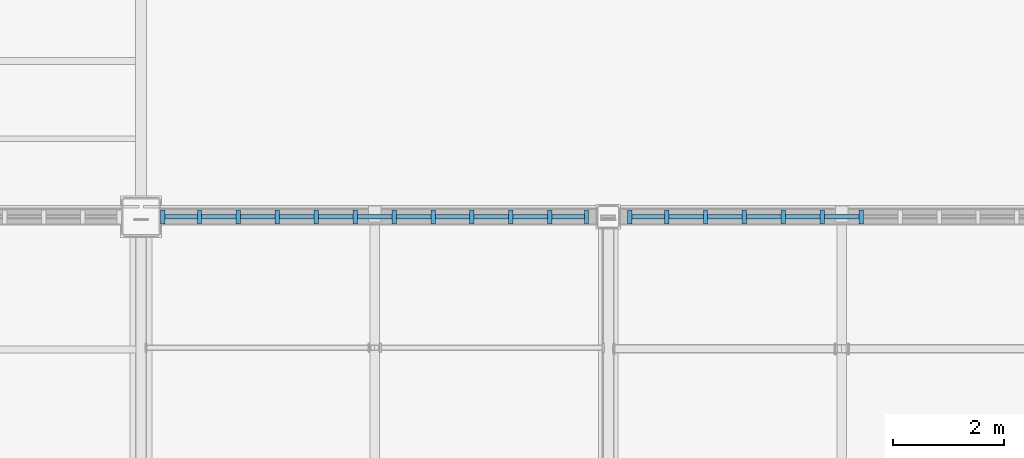
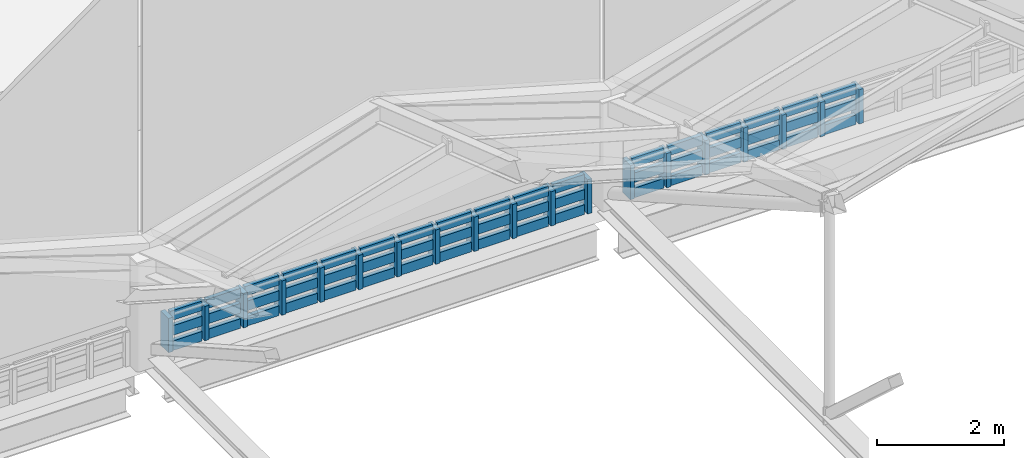
# One storey, part 49 of 77: 70 members, 2 elements without a shape of their own.
"""IFC4 building model written with IfcOpenShell, lengths in metres."""

from ifc_helpers import new_model, si_unit, direction, frame, origin, origin_2d, place, context, subcontext, project, spatial, rectangle, extrude, material, material_profile, profile_set, type_object, element, aggregate, save


model = new_model("IFC4")

# Units and contexts
model_context = context("Model", 3, precision=1e-05, world=origin(), true_north=direction((0.0, 1.0)))
body_context = subcontext(model_context, "Body", "Model", "MODEL_VIEW")
ifc_project = project(units=[si_unit("LENGTHUNIT", "METRE"), si_unit("AREAUNIT", "SQUARE_METRE"), si_unit("VOLUMEUNIT", "CUBIC_METRE"), si_unit("PLANEANGLEUNIT", "RADIAN"), si_unit("MASSUNIT", "GRAM", prefix="KILO")], contexts=[model_context])

# Site, building, storey
site_placement = place(None, origin())
site = spatial("IfcSite", under=ifc_project, at=site_placement, CompositionType="ELEMENT")
building_placement = place(site_placement, origin())
building = spatial("IfcBuilding", under=site, at=building_placement, Name="Larkvane Passage Sports Hall", CompositionType="ELEMENT")
storey_placement = place(building_placement, frame((0.0, 0.0, 22.199951171875)))
storey = spatial("IfcBuildingStorey", under=building, at=storey_placement, Name="RF", CompositionType="ELEMENT", Elevation=22.199951171875)

# Curtain wall, members
ifc_material_1 = material(Name="Thermally broken aluminium and low-E glazing", Category="aluminium")
curtain_wall_type = type_object("IfcCurtainWallType", Name="CW-CLER-N", PredefinedType="USERDEFINED", material=ifc_material_1)
curtain_wall_1_placement = place(storey_placement, origin())
curtain_wall_1 = element("IfcCurtainWall", 1, at=curtain_wall_1_placement, inside=storey, type_object=curtain_wall_type, Name="Curtain wall CW5-RF-CLER-6", ObjectType="STICK CURTAIN WALL", PredefinedType="USERDEFINED")
ifc_material_2 = material(Name="Anodised aluminium 6063-T6", Category="aluminium")
ifc_material_profile_1 = material_profile(ifc_material_2, rectangle(XDim=0.080078125, YDim=0.25, at=origin_2d()), Name="ALU-MUL-80x250")
ifc_profile_set_1 = profile_set([ifc_material_profile_1], Name="Anodised aluminium 6063-T6")
member_type_1 = type_object("IfcMemberType", Name="CW-MUL-80x250", PredefinedType="MULLION", material=ifc_profile_set_1)
member_1_placement = place(storey_placement, frame((84.81005859375, 75.60009765625, 0.0), z_axis=(0.0, 0.0, 1.0), x_axis=(-1.0, 0.0, 0.0)))
member_1 = element("IfcMember", 2, at=member_1_placement, type_object=member_type_1, Name="CW-04 mullion 1", PredefinedType="MULLION", context=body_context, shape_type="SweptSolid", body=[
    extrude(rectangle(XDim=0.080078125, YDim=0.25, at=origin_2d()), origin(), (0.0, 0.0, 1.0), 0.66015625),
])
member_2_placement = place(storey_placement, frame((84.14990234375, 75.60009765625, 0.0), z_axis=(0.0, 0.0, 1.0), x_axis=(-1.0, 0.0, 0.0)))
member_2 = element("IfcMember", 3, at=member_2_placement, type_object=member_type_1, Name="CW-04 mullion 2", PredefinedType="MULLION", context=body_context, shape_type="SweptSolid", body=[
    extrude(rectangle(XDim=0.080078125, YDim=0.25, at=origin_2d()), origin(), (0.0, 0.0, 1.0), 0.66015625),
])
member_3_placement = place(storey_placement, frame((83.449951171875, 75.60009765625, 0.0), z_axis=(0.0, 0.0, 1.0), x_axis=(-1.0, 0.0, 0.0)))
member_3 = element("IfcMember", 4, at=member_3_placement, type_object=member_type_1, Name="CW-04 mullion 3", PredefinedType="MULLION", context=body_context, shape_type="SweptSolid", body=[
    extrude(rectangle(XDim=0.080078125, YDim=0.25, at=origin_2d()), origin(), (0.0, 0.0, 1.0), 0.66015625),
])
member_4_placement = place(storey_placement, frame((82.75, 75.60009765625, 0.0), z_axis=(0.0, 0.0, 1.0), x_axis=(-1.0, 0.0, 0.0)))
member_4 = element("IfcMember", 5, at=member_4_placement, type_object=member_type_1, Name="CW-04 mullion 4", PredefinedType="MULLION", context=body_context, shape_type="SweptSolid", body=[
    extrude(rectangle(XDim=0.080078125, YDim=0.25, at=origin_2d()), origin(), (0.0, 0.0, 1.0), 0.66015625),
])
member_5_placement = place(storey_placement, frame((82.050048828125, 75.60009765625, 0.0), z_axis=(0.0, 0.0, 1.0), x_axis=(-1.0, 0.0, 0.0)))
member_5 = element("IfcMember", 6, at=member_5_placement, type_object=member_type_1, Name="CW-04 mullion 5", PredefinedType="MULLION", context=body_context, shape_type="SweptSolid", body=[
    extrude(rectangle(XDim=0.080078125, YDim=0.25, at=origin_2d()), origin(), (0.0, 0.0, 1.0), 0.66015625),
])
member_6_placement = place(storey_placement, frame((81.35009765625, 75.60009765625, 0.0), z_axis=(0.0, 0.0, 1.0), x_axis=(-1.0, 0.0, 0.0)))
member_6 = element("IfcMember", 7, at=member_6_placement, type_object=member_type_1, Name="CW-04 mullion 6", PredefinedType="MULLION", context=body_context, shape_type="SweptSolid", body=[
    extrude(rectangle(XDim=0.080078125, YDim=0.25, at=origin_2d()), origin(), (0.0, 0.0, 1.0), 0.66015625),
])
member_7_placement = place(storey_placement, frame((80.64990234375, 75.60009765625, 0.0), z_axis=(0.0, 0.0, 1.0), x_axis=(-1.0, 0.0, 0.0)))
member_7 = element("IfcMember", 8, at=member_7_placement, type_object=member_type_1, Name="CW-04 mullion 7", PredefinedType="MULLION", context=body_context, shape_type="SweptSolid", body=[
    extrude(rectangle(XDim=0.080078125, YDim=0.25, at=origin_2d()), origin(), (0.0, 0.0, 1.0), 0.66015625),
])
member_8_placement = place(storey_placement, frame((79.949951171875, 75.60009765625, 0.0), z_axis=(0.0, 0.0, 1.0), x_axis=(-1.0, 0.0, 0.0)))
member_8 = element("IfcMember", 9, at=member_8_placement, type_object=member_type_1, Name="CW-04 mullion 8", PredefinedType="MULLION", context=body_context, shape_type="SweptSolid", body=[
    extrude(rectangle(XDim=0.080078125, YDim=0.25, at=origin_2d()), origin(), (0.0, 0.0, 1.0), 0.66015625),
])
member_9_placement = place(storey_placement, frame((79.25, 75.60009765625, 0.0), z_axis=(0.0, 0.0, 1.0), x_axis=(-1.0, 0.0, 0.0)))
member_9 = element("IfcMember", 10, at=member_9_placement, type_object=member_type_1, Name="CW-04 mullion 9", PredefinedType="MULLION", context=body_context, shape_type="SweptSolid", body=[
    extrude(rectangle(XDim=0.080078125, YDim=0.25, at=origin_2d()), origin(), (0.0, 0.0, 1.0), 0.66015625),
])
member_10_placement = place(storey_placement, frame((78.550048828125, 75.60009765625, 0.0), z_axis=(0.0, 0.0, 1.0), x_axis=(-1.0, 0.0, 0.0)))
member_10 = element("IfcMember", 11, at=member_10_placement, type_object=member_type_1, Name="CW-04 mullion 10", PredefinedType="MULLION", context=body_context, shape_type="SweptSolid", body=[
    extrude(rectangle(XDim=0.080078125, YDim=0.25, at=origin_2d()), origin(), (0.0, 0.0, 1.0), 0.66015625),
])
member_11_placement = place(storey_placement, frame((77.85009765625, 75.60009765625, 0.0), z_axis=(0.0, 0.0, 1.0), x_axis=(-1.0, 0.0, 0.0)))
member_11 = element("IfcMember", 12, at=member_11_placement, type_object=member_type_1, Name="CW-04 mullion 11", PredefinedType="MULLION", context=body_context, shape_type="SweptSolid", body=[
    extrude(rectangle(XDim=0.080078125, YDim=0.25, at=origin_2d()), origin(), (0.0, 0.0, 1.0), 0.66015625),
])
member_12_placement = place(storey_placement, frame((77.18994140625, 75.60009765625, 0.0), z_axis=(0.0, 0.0, 1.0), x_axis=(-1.0, 0.0, 0.0)))
member_12 = element("IfcMember", 13, at=member_12_placement, type_object=member_type_1, Name="CW-04 mullion 12", PredefinedType="MULLION", context=body_context, shape_type="SweptSolid", body=[
    extrude(rectangle(XDim=0.080078125, YDim=0.25, at=origin_2d()), origin(), (0.0, 0.0, 1.0), 0.66015625),
])

curtain_wall_2_placement = place(storey_placement, origin())
curtain_wall_2 = element("IfcCurtainWall", 14, at=curtain_wall_2_placement, inside=storey, type_object=curtain_wall_type, Name="Curtain wall CW5-RF-CLER-7", ObjectType="STICK CURTAIN WALL", PredefinedType="USERDEFINED")
member_13_placement = place(storey_placement, frame((89.75, 75.60009765625, 0.0), z_axis=(0.0, 0.0, 1.0), x_axis=(-1.0, 0.0, 0.0)))
member_13 = element("IfcMember", 15, at=member_13_placement, type_object=member_type_1, Name="CW-04 mullion 6", PredefinedType="MULLION", context=body_context, shape_type="SweptSolid", body=[
    extrude(rectangle(XDim=0.080078125, YDim=0.25, at=origin_2d()), origin(), (0.0, 0.0, 1.0), 0.66015625),
])
member_14_placement = place(storey_placement, frame((89.050048828125, 75.60009765625, 0.0), z_axis=(0.0, 0.0, 1.0), x_axis=(-1.0, 0.0, 0.0)))
member_14 = element("IfcMember", 16, at=member_14_placement, type_object=member_type_1, Name="CW-04 mullion 7", PredefinedType="MULLION", context=body_context, shape_type="SweptSolid", body=[
    extrude(rectangle(XDim=0.080078125, YDim=0.25, at=origin_2d()), origin(), (0.0, 0.0, 1.0), 0.66015625),
])
member_15_placement = place(storey_placement, frame((88.35009765625, 75.60009765625, 0.0), z_axis=(0.0, 0.0, 1.0), x_axis=(-1.0, 0.0, 0.0)))
member_15 = element("IfcMember", 17, at=member_15_placement, type_object=member_type_1, Name="CW-04 mullion 8", PredefinedType="MULLION", context=body_context, shape_type="SweptSolid", body=[
    extrude(rectangle(XDim=0.080078125, YDim=0.25, at=origin_2d()), origin(), (0.0, 0.0, 1.0), 0.66015625),
])
member_16_placement = place(storey_placement, frame((87.64990234375, 75.60009765625, 0.0), z_axis=(0.0, 0.0, 1.0), x_axis=(-1.0, 0.0, 0.0)))
member_16 = element("IfcMember", 18, at=member_16_placement, type_object=member_type_1, Name="CW-04 mullion 9", PredefinedType="MULLION", context=body_context, shape_type="SweptSolid", body=[
    extrude(rectangle(XDim=0.080078125, YDim=0.25, at=origin_2d()), origin(), (0.0, 0.0, 1.0), 0.66015625),
])
member_17_placement = place(storey_placement, frame((86.949951171875, 75.60009765625, 0.0), z_axis=(0.0, 0.0, 1.0), x_axis=(-1.0, 0.0, 0.0)))
member_17 = element("IfcMember", 19, at=member_17_placement, type_object=member_type_1, Name="CW-04 mullion 10", PredefinedType="MULLION", context=body_context, shape_type="SweptSolid", body=[
    extrude(rectangle(XDim=0.080078125, YDim=0.25, at=origin_2d()), origin(), (0.0, 0.0, 1.0), 0.66015625),
])
member_18_placement = place(storey_placement, frame((86.25, 75.60009765625, 0.0), z_axis=(0.0, 0.0, 1.0), x_axis=(-1.0, 0.0, 0.0)))
member_18 = element("IfcMember", 20, at=member_18_placement, type_object=member_type_1, Name="CW-04 mullion 11", PredefinedType="MULLION", context=body_context, shape_type="SweptSolid", body=[
    extrude(rectangle(XDim=0.080078125, YDim=0.25, at=origin_2d()), origin(), (0.0, 0.0, 1.0), 0.66015625),
])
member_19_placement = place(storey_placement, frame((85.590087890625, 75.60009765625, 0.0), z_axis=(0.0, 0.0, 1.0), x_axis=(-1.0, 0.0, 0.0)))
member_19 = element("IfcMember", 21, at=member_19_placement, type_object=member_type_1, Name="CW-04 mullion 12", PredefinedType="MULLION", context=body_context, shape_type="SweptSolid", body=[
    extrude(rectangle(XDim=0.080078125, YDim=0.25, at=origin_2d()), origin(), (0.0, 0.0, 1.0), 0.66015625),
])

# Member
ifc_material_profile_2 = material_profile(ifc_material_2, rectangle(XDim=0.074951171875, YDim=0.18505859375, at=origin_2d()), Name="ALU-TRN-75x185")
ifc_profile_set_2 = profile_set([ifc_material_profile_2], Name="Anodised aluminium 6063-T6")
member_type_2 = type_object("IfcMemberType", Name="CW-TRN-75x185", PredefinedType="USERDEFINED", material=ifc_profile_set_2)
member_20_placement = place(storey_placement, frame((84.77001953125, 75.60009765625, 0.03759765625), z_axis=(-1.0, 0.0, 0.0), x_axis=(0.0, -1.0, 0.0)))
member_20 = element("IfcMember", 22, at=member_20_placement, type_object=member_type_2, Name="CW-04 transom 1.1", ObjectType="TRANSOM", PredefinedType="USERDEFINED", context=body_context, shape_type="SweptSolid", body=[
    extrude(rectangle(XDim=0.074951171875, YDim=0.18505859375, at=origin_2d()), origin(), (0.0, 0.0, 1.0), 0.580078125),
])

member_21_placement = place(storey_placement, frame((84.77001953125, 75.60009765625, 0.330078125), z_axis=(-1.0, 0.0, 0.0), x_axis=(0.0, -1.0, 0.0)))
member_21 = element("IfcMember", 23, at=member_21_placement, type_object=member_type_2, Name="CW-04 transom 1.2", ObjectType="TRANSOM", PredefinedType="USERDEFINED", context=body_context, shape_type="SweptSolid", body=[
    extrude(rectangle(XDim=0.074951171875, YDim=0.18505859375, at=origin_2d()), origin(), (0.0, 0.0, 1.0), 0.580078125),
])

member_22_placement = place(storey_placement, frame((84.77001953125, 75.60009765625, 0.62255859375), z_axis=(-1.0, 0.0, 0.0), x_axis=(0.0, -1.0, 0.0)))
member_22 = element("IfcMember", 24, at=member_22_placement, type_object=member_type_2, Name="CW-04 transom 1.3", ObjectType="TRANSOM", PredefinedType="USERDEFINED", context=body_context, shape_type="SweptSolid", body=[
    extrude(rectangle(XDim=0.074951171875, YDim=0.18505859375, at=origin_2d()), origin(), (0.0, 0.0, 1.0), 0.580078125),
])

member_23_placement = place(storey_placement, frame((84.110107421875, 75.60009765625, 0.03759765625), z_axis=(-1.0, 0.0, 0.0), x_axis=(0.0, -1.0, 0.0)))
member_23 = element("IfcMember", 25, at=member_23_placement, type_object=member_type_2, Name="CW-04 transom 2.1", ObjectType="TRANSOM", PredefinedType="USERDEFINED", context=body_context, shape_type="SweptSolid", body=[
    extrude(rectangle(XDim=0.074951171875, YDim=0.18505859375, at=origin_2d()), origin(), (0.0, 0.0, 1.0), 0.6201171875),
])

member_24_placement = place(storey_placement, frame((84.110107421875, 75.60009765625, 0.330078125), z_axis=(-1.0, 0.0, 0.0), x_axis=(0.0, -1.0, 0.0)))
member_24 = element("IfcMember", 26, at=member_24_placement, type_object=member_type_2, Name="CW-04 transom 2.2", ObjectType="TRANSOM", PredefinedType="USERDEFINED", context=body_context, shape_type="SweptSolid", body=[
    extrude(rectangle(XDim=0.074951171875, YDim=0.18505859375, at=origin_2d()), origin(), (0.0, 0.0, 1.0), 0.6201171875),
])

member_25_placement = place(storey_placement, frame((84.110107421875, 75.60009765625, 0.62255859375), z_axis=(-1.0, 0.0, 0.0), x_axis=(0.0, -1.0, 0.0)))
member_25 = element("IfcMember", 27, at=member_25_placement, type_object=member_type_2, Name="CW-04 transom 2.3", ObjectType="TRANSOM", PredefinedType="USERDEFINED", context=body_context, shape_type="SweptSolid", body=[
    extrude(rectangle(XDim=0.074951171875, YDim=0.18505859375, at=origin_2d()), origin(), (0.0, 0.0, 1.0), 0.6201171875),
])

member_26_placement = place(storey_placement, frame((83.409912109375, 75.60009765625, 0.03759765625), z_axis=(-1.0, 0.0, 0.0), x_axis=(0.0, -1.0, 0.0)))
member_26 = element("IfcMember", 28, at=member_26_placement, type_object=member_type_2, Name="CW-04 transom 3.1", ObjectType="TRANSOM", PredefinedType="USERDEFINED", context=body_context, shape_type="SweptSolid", body=[
    extrude(rectangle(XDim=0.074951171875, YDim=0.18505859375, at=origin_2d()), origin(), (0.0, 0.0, 1.0), 0.619873046875),
])

member_27_placement = place(storey_placement, frame((83.409912109375, 75.60009765625, 0.330078125), z_axis=(-1.0, 0.0, 0.0), x_axis=(0.0, -1.0, 0.0)))
member_27 = element("IfcMember", 29, at=member_27_placement, type_object=member_type_2, Name="CW-04 transom 3.2", ObjectType="TRANSOM", PredefinedType="USERDEFINED", context=body_context, shape_type="SweptSolid", body=[
    extrude(rectangle(XDim=0.074951171875, YDim=0.18505859375, at=origin_2d()), origin(), (0.0, 0.0, 1.0), 0.619873046875),
])

member_28_placement = place(storey_placement, frame((83.409912109375, 75.60009765625, 0.62255859375), z_axis=(-1.0, 0.0, 0.0), x_axis=(0.0, -1.0, 0.0)))
member_28 = element("IfcMember", 30, at=member_28_placement, type_object=member_type_2, Name="CW-04 transom 3.3", ObjectType="TRANSOM", PredefinedType="USERDEFINED", context=body_context, shape_type="SweptSolid", body=[
    extrude(rectangle(XDim=0.074951171875, YDim=0.18505859375, at=origin_2d()), origin(), (0.0, 0.0, 1.0), 0.619873046875),
])

member_29_placement = place(storey_placement, frame((82.7099609375, 75.60009765625, 0.03759765625), z_axis=(-1.0, 0.0, 0.0), x_axis=(0.0, -1.0, 0.0)))
member_29 = element("IfcMember", 31, at=member_29_placement, type_object=member_type_2, Name="CW-04 transom 4.1", ObjectType="TRANSOM", PredefinedType="USERDEFINED", context=body_context, shape_type="SweptSolid", body=[
    extrude(rectangle(XDim=0.074951171875, YDim=0.18505859375, at=origin_2d()), origin(), (0.0, 0.0, 1.0), 0.619873046875),
])

member_30_placement = place(storey_placement, frame((82.7099609375, 75.60009765625, 0.330078125), z_axis=(-1.0, 0.0, 0.0), x_axis=(0.0, -1.0, 0.0)))
member_30 = element("IfcMember", 32, at=member_30_placement, type_object=member_type_2, Name="CW-04 transom 4.2", ObjectType="TRANSOM", PredefinedType="USERDEFINED", context=body_context, shape_type="SweptSolid", body=[
    extrude(rectangle(XDim=0.074951171875, YDim=0.18505859375, at=origin_2d()), origin(), (0.0, 0.0, 1.0), 0.619873046875),
])

member_31_placement = place(storey_placement, frame((82.7099609375, 75.60009765625, 0.62255859375), z_axis=(-1.0, 0.0, 0.0), x_axis=(0.0, -1.0, 0.0)))
member_31 = element("IfcMember", 33, at=member_31_placement, type_object=member_type_2, Name="CW-04 transom 4.3", ObjectType="TRANSOM", PredefinedType="USERDEFINED", context=body_context, shape_type="SweptSolid", body=[
    extrude(rectangle(XDim=0.074951171875, YDim=0.18505859375, at=origin_2d()), origin(), (0.0, 0.0, 1.0), 0.619873046875),
])

member_32_placement = place(storey_placement, frame((82.010009765625, 75.60009765625, 0.03759765625), z_axis=(-1.0, 0.0, 0.0), x_axis=(0.0, -1.0, 0.0)))
member_32 = element("IfcMember", 34, at=member_32_placement, type_object=member_type_2, Name="CW-04 transom 5.1", ObjectType="TRANSOM", PredefinedType="USERDEFINED", context=body_context, shape_type="SweptSolid", body=[
    extrude(rectangle(XDim=0.074951171875, YDim=0.18505859375, at=origin_2d()), origin(), (0.0, 0.0, 1.0), 0.6201171875),
])

member_33_placement = place(storey_placement, frame((82.010009765625, 75.60009765625, 0.330078125), z_axis=(-1.0, 0.0, 0.0), x_axis=(0.0, -1.0, 0.0)))
member_33 = element("IfcMember", 35, at=member_33_placement, type_object=member_type_2, Name="CW-04 transom 5.2", ObjectType="TRANSOM", PredefinedType="USERDEFINED", context=body_context, shape_type="SweptSolid", body=[
    extrude(rectangle(XDim=0.074951171875, YDim=0.18505859375, at=origin_2d()), origin(), (0.0, 0.0, 1.0), 0.6201171875),
])

member_34_placement = place(storey_placement, frame((82.010009765625, 75.60009765625, 0.62255859375), z_axis=(-1.0, 0.0, 0.0), x_axis=(0.0, -1.0, 0.0)))
member_34 = element("IfcMember", 36, at=member_34_placement, type_object=member_type_2, Name="CW-04 transom 5.3", ObjectType="TRANSOM", PredefinedType="USERDEFINED", context=body_context, shape_type="SweptSolid", body=[
    extrude(rectangle(XDim=0.074951171875, YDim=0.18505859375, at=origin_2d()), origin(), (0.0, 0.0, 1.0), 0.6201171875),
])

member_35_placement = place(storey_placement, frame((81.31005859375, 75.60009765625, 0.03759765625), z_axis=(-1.0, 0.0, 0.0), x_axis=(0.0, -1.0, 0.0)))
member_35 = element("IfcMember", 37, at=member_35_placement, type_object=member_type_2, Name="CW-04 transom 6.1", ObjectType="TRANSOM", PredefinedType="USERDEFINED", context=body_context, shape_type="SweptSolid", body=[
    extrude(rectangle(XDim=0.074951171875, YDim=0.18505859375, at=origin_2d()), origin(), (0.0, 0.0, 1.0), 0.6201171875),
])

member_36_placement = place(storey_placement, frame((81.31005859375, 75.60009765625, 0.330078125), z_axis=(-1.0, 0.0, 0.0), x_axis=(0.0, -1.0, 0.0)))
member_36 = element("IfcMember", 38, at=member_36_placement, type_object=member_type_2, Name="CW-04 transom 6.2", ObjectType="TRANSOM", PredefinedType="USERDEFINED", context=body_context, shape_type="SweptSolid", body=[
    extrude(rectangle(XDim=0.074951171875, YDim=0.18505859375, at=origin_2d()), origin(), (0.0, 0.0, 1.0), 0.6201171875),
])

member_37_placement = place(storey_placement, frame((81.31005859375, 75.60009765625, 0.62255859375), z_axis=(-1.0, 0.0, 0.0), x_axis=(0.0, -1.0, 0.0)))
member_37 = element("IfcMember", 39, at=member_37_placement, type_object=member_type_2, Name="CW-04 transom 6.3", ObjectType="TRANSOM", PredefinedType="USERDEFINED", context=body_context, shape_type="SweptSolid", body=[
    extrude(rectangle(XDim=0.074951171875, YDim=0.18505859375, at=origin_2d()), origin(), (0.0, 0.0, 1.0), 0.6201171875),
])

member_38_placement = place(storey_placement, frame((80.610107421875, 75.60009765625, 0.03759765625), z_axis=(-1.0, 0.0, 0.0), x_axis=(0.0, -1.0, 0.0)))
member_38 = element("IfcMember", 40, at=member_38_placement, type_object=member_type_2, Name="CW-04 transom 7.1", ObjectType="TRANSOM", PredefinedType="USERDEFINED", context=body_context, shape_type="SweptSolid", body=[
    extrude(rectangle(XDim=0.074951171875, YDim=0.18505859375, at=origin_2d()), origin(), (0.0, 0.0, 1.0), 0.6201171875),
])

member_39_placement = place(storey_placement, frame((80.610107421875, 75.60009765625, 0.330078125), z_axis=(-1.0, 0.0, 0.0), x_axis=(0.0, -1.0, 0.0)))
member_39 = element("IfcMember", 41, at=member_39_placement, type_object=member_type_2, Name="CW-04 transom 7.2", ObjectType="TRANSOM", PredefinedType="USERDEFINED", context=body_context, shape_type="SweptSolid", body=[
    extrude(rectangle(XDim=0.074951171875, YDim=0.18505859375, at=origin_2d()), origin(), (0.0, 0.0, 1.0), 0.6201171875),
])

member_40_placement = place(storey_placement, frame((80.610107421875, 75.60009765625, 0.62255859375), z_axis=(-1.0, 0.0, 0.0), x_axis=(0.0, -1.0, 0.0)))
member_40 = element("IfcMember", 42, at=member_40_placement, type_object=member_type_2, Name="CW-04 transom 7.3", ObjectType="TRANSOM", PredefinedType="USERDEFINED", context=body_context, shape_type="SweptSolid", body=[
    extrude(rectangle(XDim=0.074951171875, YDim=0.18505859375, at=origin_2d()), origin(), (0.0, 0.0, 1.0), 0.6201171875),
])

member_41_placement = place(storey_placement, frame((79.909912109375, 75.60009765625, 0.03759765625), z_axis=(-1.0, 0.0, 0.0), x_axis=(0.0, -1.0, 0.0)))
member_41 = element("IfcMember", 43, at=member_41_placement, type_object=member_type_2, Name="CW-04 transom 8.1", ObjectType="TRANSOM", PredefinedType="USERDEFINED", context=body_context, shape_type="SweptSolid", body=[
    extrude(rectangle(XDim=0.074951171875, YDim=0.18505859375, at=origin_2d()), origin(), (0.0, 0.0, 1.0), 0.619873046875),
])

member_42_placement = place(storey_placement, frame((79.909912109375, 75.60009765625, 0.330078125), z_axis=(-1.0, 0.0, 0.0), x_axis=(0.0, -1.0, 0.0)))
member_42 = element("IfcMember", 44, at=member_42_placement, type_object=member_type_2, Name="CW-04 transom 8.2", ObjectType="TRANSOM", PredefinedType="USERDEFINED", context=body_context, shape_type="SweptSolid", body=[
    extrude(rectangle(XDim=0.074951171875, YDim=0.18505859375, at=origin_2d()), origin(), (0.0, 0.0, 1.0), 0.619873046875),
])

member_43_placement = place(storey_placement, frame((79.909912109375, 75.60009765625, 0.62255859375), z_axis=(-1.0, 0.0, 0.0), x_axis=(0.0, -1.0, 0.0)))
member_43 = element("IfcMember", 45, at=member_43_placement, type_object=member_type_2, Name="CW-04 transom 8.3", ObjectType="TRANSOM", PredefinedType="USERDEFINED", context=body_context, shape_type="SweptSolid", body=[
    extrude(rectangle(XDim=0.074951171875, YDim=0.18505859375, at=origin_2d()), origin(), (0.0, 0.0, 1.0), 0.619873046875),
])

member_44_placement = place(storey_placement, frame((79.2099609375, 75.60009765625, 0.03759765625), z_axis=(-1.0, 0.0, 0.0), x_axis=(0.0, -1.0, 0.0)))
member_44 = element("IfcMember", 46, at=member_44_placement, type_object=member_type_2, Name="CW-04 transom 9.1", ObjectType="TRANSOM", PredefinedType="USERDEFINED", context=body_context, shape_type="SweptSolid", body=[
    extrude(rectangle(XDim=0.074951171875, YDim=0.18505859375, at=origin_2d()), origin(), (0.0, 0.0, 1.0), 0.619873046875),
])

member_45_placement = place(storey_placement, frame((79.2099609375, 75.60009765625, 0.330078125), z_axis=(-1.0, 0.0, 0.0), x_axis=(0.0, -1.0, 0.0)))
member_45 = element("IfcMember", 47, at=member_45_placement, type_object=member_type_2, Name="CW-04 transom 9.2", ObjectType="TRANSOM", PredefinedType="USERDEFINED", context=body_context, shape_type="SweptSolid", body=[
    extrude(rectangle(XDim=0.074951171875, YDim=0.18505859375, at=origin_2d()), origin(), (0.0, 0.0, 1.0), 0.619873046875),
])

member_46_placement = place(storey_placement, frame((79.2099609375, 75.60009765625, 0.62255859375), z_axis=(-1.0, 0.0, 0.0), x_axis=(0.0, -1.0, 0.0)))
member_46 = element("IfcMember", 48, at=member_46_placement, type_object=member_type_2, Name="CW-04 transom 9.3", ObjectType="TRANSOM", PredefinedType="USERDEFINED", context=body_context, shape_type="SweptSolid", body=[
    extrude(rectangle(XDim=0.074951171875, YDim=0.18505859375, at=origin_2d()), origin(), (0.0, 0.0, 1.0), 0.619873046875),
])

member_47_placement = place(storey_placement, frame((78.510009765625, 75.60009765625, 0.03759765625), z_axis=(-1.0, 0.0, 0.0), x_axis=(0.0, -1.0, 0.0)))
member_47 = element("IfcMember", 49, at=member_47_placement, type_object=member_type_2, Name="CW-04 transom 10.1", ObjectType="TRANSOM", PredefinedType="USERDEFINED", context=body_context, shape_type="SweptSolid", body=[
    extrude(rectangle(XDim=0.074951171875, YDim=0.18505859375, at=origin_2d()), origin(), (0.0, 0.0, 1.0), 0.6201171875),
])

member_48_placement = place(storey_placement, frame((78.510009765625, 75.60009765625, 0.330078125), z_axis=(-1.0, 0.0, 0.0), x_axis=(0.0, -1.0, 0.0)))
member_48 = element("IfcMember", 50, at=member_48_placement, type_object=member_type_2, Name="CW-04 transom 10.2", ObjectType="TRANSOM", PredefinedType="USERDEFINED", context=body_context, shape_type="SweptSolid", body=[
    extrude(rectangle(XDim=0.074951171875, YDim=0.18505859375, at=origin_2d()), origin(), (0.0, 0.0, 1.0), 0.6201171875),
])

member_49_placement = place(storey_placement, frame((78.510009765625, 75.60009765625, 0.62255859375), z_axis=(-1.0, 0.0, 0.0), x_axis=(0.0, -1.0, 0.0)))
member_49 = element("IfcMember", 51, at=member_49_placement, type_object=member_type_2, Name="CW-04 transom 10.3", ObjectType="TRANSOM", PredefinedType="USERDEFINED", context=body_context, shape_type="SweptSolid", body=[
    extrude(rectangle(XDim=0.074951171875, YDim=0.18505859375, at=origin_2d()), origin(), (0.0, 0.0, 1.0), 0.6201171875),
])

member_50_placement = place(storey_placement, frame((77.81005859375, 75.60009765625, 0.03759765625), z_axis=(-1.0, 0.0, 0.0), x_axis=(0.0, -1.0, 0.0)))
member_50 = element("IfcMember", 52, at=member_50_placement, type_object=member_type_2, Name="CW-04 transom 11.1", ObjectType="TRANSOM", PredefinedType="USERDEFINED", context=body_context, shape_type="SweptSolid", body=[
    extrude(rectangle(XDim=0.074951171875, YDim=0.18505859375, at=origin_2d()), origin(), (0.0, 0.0, 1.0), 0.580078125),
])

member_51_placement = place(storey_placement, frame((77.81005859375, 75.60009765625, 0.330078125), z_axis=(-1.0, 0.0, 0.0), x_axis=(0.0, -1.0, 0.0)))
member_51 = element("IfcMember", 53, at=member_51_placement, type_object=member_type_2, Name="CW-04 transom 11.2", ObjectType="TRANSOM", PredefinedType="USERDEFINED", context=body_context, shape_type="SweptSolid", body=[
    extrude(rectangle(XDim=0.074951171875, YDim=0.18505859375, at=origin_2d()), origin(), (0.0, 0.0, 1.0), 0.580078125),
])

member_52_placement = place(storey_placement, frame((77.81005859375, 75.60009765625, 0.62255859375), z_axis=(-1.0, 0.0, 0.0), x_axis=(0.0, -1.0, 0.0)))
member_52 = element("IfcMember", 54, at=member_52_placement, type_object=member_type_2, Name="CW-04 transom 11.3", ObjectType="TRANSOM", PredefinedType="USERDEFINED", context=body_context, shape_type="SweptSolid", body=[
    extrude(rectangle(XDim=0.074951171875, YDim=0.18505859375, at=origin_2d()), origin(), (0.0, 0.0, 1.0), 0.580078125),
])

aggregate(curtain_wall_1, [member_1, member_2, member_3, member_4, member_5, member_6, member_7, member_8, member_9, member_10, member_11, member_12, member_20, member_21, member_22, member_23, member_24, member_25, member_26, member_27, member_28, member_29, member_30, member_31, member_32, member_33, member_34, member_35, member_36, member_37, member_38, member_39, member_40, member_41, member_42, member_43, member_44, member_45, member_46, member_47, member_48, member_49, member_50, member_51, member_52])

member_53_placement = place(storey_placement, frame((89.7099609375, 75.60009765625, 0.03759765625), z_axis=(-1.0, 0.0, 0.0), x_axis=(0.0, -1.0, 0.0)))
member_53 = element("IfcMember", 55, at=member_53_placement, type_object=member_type_2, Name="CW-04 transom 6.1", ObjectType="TRANSOM", PredefinedType="USERDEFINED", context=body_context, shape_type="SweptSolid", body=[
    extrude(rectangle(XDim=0.074951171875, YDim=0.18505859375, at=origin_2d()), origin(), (0.0, 0.0, 1.0), 0.619873046875),
])

member_54_placement = place(storey_placement, frame((89.7099609375, 75.60009765625, 0.330078125), z_axis=(-1.0, 0.0, 0.0), x_axis=(0.0, -1.0, 0.0)))
member_54 = element("IfcMember", 56, at=member_54_placement, type_object=member_type_2, Name="CW-04 transom 6.2", ObjectType="TRANSOM", PredefinedType="USERDEFINED", context=body_context, shape_type="SweptSolid", body=[
    extrude(rectangle(XDim=0.074951171875, YDim=0.18505859375, at=origin_2d()), origin(), (0.0, 0.0, 1.0), 0.619873046875),
])

member_55_placement = place(storey_placement, frame((89.7099609375, 75.60009765625, 0.62255859375), z_axis=(-1.0, 0.0, 0.0), x_axis=(0.0, -1.0, 0.0)))
member_55 = element("IfcMember", 57, at=member_55_placement, type_object=member_type_2, Name="CW-04 transom 6.3", ObjectType="TRANSOM", PredefinedType="USERDEFINED", context=body_context, shape_type="SweptSolid", body=[
    extrude(rectangle(XDim=0.074951171875, YDim=0.18505859375, at=origin_2d()), origin(), (0.0, 0.0, 1.0), 0.619873046875),
])

member_56_placement = place(storey_placement, frame((89.010009765625, 75.60009765625, 0.03759765625), z_axis=(-1.0, 0.0, 0.0), x_axis=(0.0, -1.0, 0.0)))
member_56 = element("IfcMember", 58, at=member_56_placement, type_object=member_type_2, Name="CW-04 transom 7.1", ObjectType="TRANSOM", PredefinedType="USERDEFINED", context=body_context, shape_type="SweptSolid", body=[
    extrude(rectangle(XDim=0.074951171875, YDim=0.18505859375, at=origin_2d()), origin(), (0.0, 0.0, 1.0), 0.6201171875),
])

member_57_placement = place(storey_placement, frame((89.010009765625, 75.60009765625, 0.330078125), z_axis=(-1.0, 0.0, 0.0), x_axis=(0.0, -1.0, 0.0)))
member_57 = element("IfcMember", 59, at=member_57_placement, type_object=member_type_2, Name="CW-04 transom 7.2", ObjectType="TRANSOM", PredefinedType="USERDEFINED", context=body_context, shape_type="SweptSolid", body=[
    extrude(rectangle(XDim=0.074951171875, YDim=0.18505859375, at=origin_2d()), origin(), (0.0, 0.0, 1.0), 0.6201171875),
])

member_58_placement = place(storey_placement, frame((89.010009765625, 75.60009765625, 0.62255859375), z_axis=(-1.0, 0.0, 0.0), x_axis=(0.0, -1.0, 0.0)))
member_58 = element("IfcMember", 60, at=member_58_placement, type_object=member_type_2, Name="CW-04 transom 7.3", ObjectType="TRANSOM", PredefinedType="USERDEFINED", context=body_context, shape_type="SweptSolid", body=[
    extrude(rectangle(XDim=0.074951171875, YDim=0.18505859375, at=origin_2d()), origin(), (0.0, 0.0, 1.0), 0.6201171875),
])

member_59_placement = place(storey_placement, frame((88.31005859375, 75.60009765625, 0.03759765625), z_axis=(-1.0, 0.0, 0.0), x_axis=(0.0, -1.0, 0.0)))
member_59 = element("IfcMember", 61, at=member_59_placement, type_object=member_type_2, Name="CW-04 transom 8.1", ObjectType="TRANSOM", PredefinedType="USERDEFINED", context=body_context, shape_type="SweptSolid", body=[
    extrude(rectangle(XDim=0.074951171875, YDim=0.18505859375, at=origin_2d()), origin(), (0.0, 0.0, 1.0), 0.6201171875),
])

member_60_placement = place(storey_placement, frame((88.31005859375, 75.60009765625, 0.330078125), z_axis=(-1.0, 0.0, 0.0), x_axis=(0.0, -1.0, 0.0)))
member_60 = element("IfcMember", 62, at=member_60_placement, type_object=member_type_2, Name="CW-04 transom 8.2", ObjectType="TRANSOM", PredefinedType="USERDEFINED", context=body_context, shape_type="SweptSolid", body=[
    extrude(rectangle(XDim=0.074951171875, YDim=0.18505859375, at=origin_2d()), origin(), (0.0, 0.0, 1.0), 0.6201171875),
])

member_61_placement = place(storey_placement, frame((88.31005859375, 75.60009765625, 0.62255859375), z_axis=(-1.0, 0.0, 0.0), x_axis=(0.0, -1.0, 0.0)))
member_61 = element("IfcMember", 63, at=member_61_placement, type_object=member_type_2, Name="CW-04 transom 8.3", ObjectType="TRANSOM", PredefinedType="USERDEFINED", context=body_context, shape_type="SweptSolid", body=[
    extrude(rectangle(XDim=0.074951171875, YDim=0.18505859375, at=origin_2d()), origin(), (0.0, 0.0, 1.0), 0.6201171875),
])

member_62_placement = place(storey_placement, frame((87.610107421875, 75.60009765625, 0.03759765625), z_axis=(-1.0, 0.0, 0.0), x_axis=(0.0, -1.0, 0.0)))
member_62 = element("IfcMember", 64, at=member_62_placement, type_object=member_type_2, Name="CW-04 transom 9.1", ObjectType="TRANSOM", PredefinedType="USERDEFINED", context=body_context, shape_type="SweptSolid", body=[
    extrude(rectangle(XDim=0.074951171875, YDim=0.18505859375, at=origin_2d()), origin(), (0.0, 0.0, 1.0), 0.6201171875),
])

member_63_placement = place(storey_placement, frame((87.610107421875, 75.60009765625, 0.330078125), z_axis=(-1.0, 0.0, 0.0), x_axis=(0.0, -1.0, 0.0)))
member_63 = element("IfcMember", 65, at=member_63_placement, type_object=member_type_2, Name="CW-04 transom 9.2", ObjectType="TRANSOM", PredefinedType="USERDEFINED", context=body_context, shape_type="SweptSolid", body=[
    extrude(rectangle(XDim=0.074951171875, YDim=0.18505859375, at=origin_2d()), origin(), (0.0, 0.0, 1.0), 0.6201171875),
])

member_64_placement = place(storey_placement, frame((87.610107421875, 75.60009765625, 0.62255859375), z_axis=(-1.0, 0.0, 0.0), x_axis=(0.0, -1.0, 0.0)))
member_64 = element("IfcMember", 66, at=member_64_placement, type_object=member_type_2, Name="CW-04 transom 9.3", ObjectType="TRANSOM", PredefinedType="USERDEFINED", context=body_context, shape_type="SweptSolid", body=[
    extrude(rectangle(XDim=0.074951171875, YDim=0.18505859375, at=origin_2d()), origin(), (0.0, 0.0, 1.0), 0.6201171875),
])

member_65_placement = place(storey_placement, frame((86.909912109375, 75.60009765625, 0.03759765625), z_axis=(-1.0, 0.0, 0.0), x_axis=(0.0, -1.0, 0.0)))
member_65 = element("IfcMember", 67, at=member_65_placement, type_object=member_type_2, Name="CW-04 transom 10.1", ObjectType="TRANSOM", PredefinedType="USERDEFINED", context=body_context, shape_type="SweptSolid", body=[
    extrude(rectangle(XDim=0.074951171875, YDim=0.18505859375, at=origin_2d()), origin(), (0.0, 0.0, 1.0), 0.619873046875),
])

member_66_placement = place(storey_placement, frame((86.909912109375, 75.60009765625, 0.330078125), z_axis=(-1.0, 0.0, 0.0), x_axis=(0.0, -1.0, 0.0)))
member_66 = element("IfcMember", 68, at=member_66_placement, type_object=member_type_2, Name="CW-04 transom 10.2", ObjectType="TRANSOM", PredefinedType="USERDEFINED", context=body_context, shape_type="SweptSolid", body=[
    extrude(rectangle(XDim=0.074951171875, YDim=0.18505859375, at=origin_2d()), origin(), (0.0, 0.0, 1.0), 0.619873046875),
])

member_67_placement = place(storey_placement, frame((86.909912109375, 75.60009765625, 0.62255859375), z_axis=(-1.0, 0.0, 0.0), x_axis=(0.0, -1.0, 0.0)))
member_67 = element("IfcMember", 69, at=member_67_placement, type_object=member_type_2, Name="CW-04 transom 10.3", ObjectType="TRANSOM", PredefinedType="USERDEFINED", context=body_context, shape_type="SweptSolid", body=[
    extrude(rectangle(XDim=0.074951171875, YDim=0.18505859375, at=origin_2d()), origin(), (0.0, 0.0, 1.0), 0.619873046875),
])

member_68_placement = place(storey_placement, frame((86.2099609375, 75.60009765625, 0.03759765625), z_axis=(-1.0, 0.0, 0.0), x_axis=(0.0, -1.0, 0.0)))
member_68 = element("IfcMember", 70, at=member_68_placement, type_object=member_type_2, Name="CW-04 transom 11.1", ObjectType="TRANSOM", PredefinedType="USERDEFINED", context=body_context, shape_type="SweptSolid", body=[
    extrude(rectangle(XDim=0.074951171875, YDim=0.18505859375, at=origin_2d()), origin(), (0.0, 0.0, 1.0), 0.580078125),
])

member_69_placement = place(storey_placement, frame((86.2099609375, 75.60009765625, 0.330078125), z_axis=(-1.0, 0.0, 0.0), x_axis=(0.0, -1.0, 0.0)))
member_69 = element("IfcMember", 71, at=member_69_placement, type_object=member_type_2, Name="CW-04 transom 11.2", ObjectType="TRANSOM", PredefinedType="USERDEFINED", context=body_context, shape_type="SweptSolid", body=[
    extrude(rectangle(XDim=0.074951171875, YDim=0.18505859375, at=origin_2d()), origin(), (0.0, 0.0, 1.0), 0.580078125),
])

member_70_placement = place(storey_placement, frame((86.2099609375, 75.60009765625, 0.62255859375), z_axis=(-1.0, 0.0, 0.0), x_axis=(0.0, -1.0, 0.0)))
member_70 = element("IfcMember", 72, at=member_70_placement, type_object=member_type_2, Name="CW-04 transom 11.3", ObjectType="TRANSOM", PredefinedType="USERDEFINED", context=body_context, shape_type="SweptSolid", body=[
    extrude(rectangle(XDim=0.074951171875, YDim=0.18505859375, at=origin_2d()), origin(), (0.0, 0.0, 1.0), 0.580078125),
])

aggregate(curtain_wall_2, [member_13, member_14, member_15, member_16, member_17, member_18, member_19, member_53, member_54, member_55, member_56, member_57, member_58, member_59, member_60, member_61, member_62, member_63, member_64, member_65, member_66, member_67, member_68, member_69, member_70])

save(model, "model.ifc")
